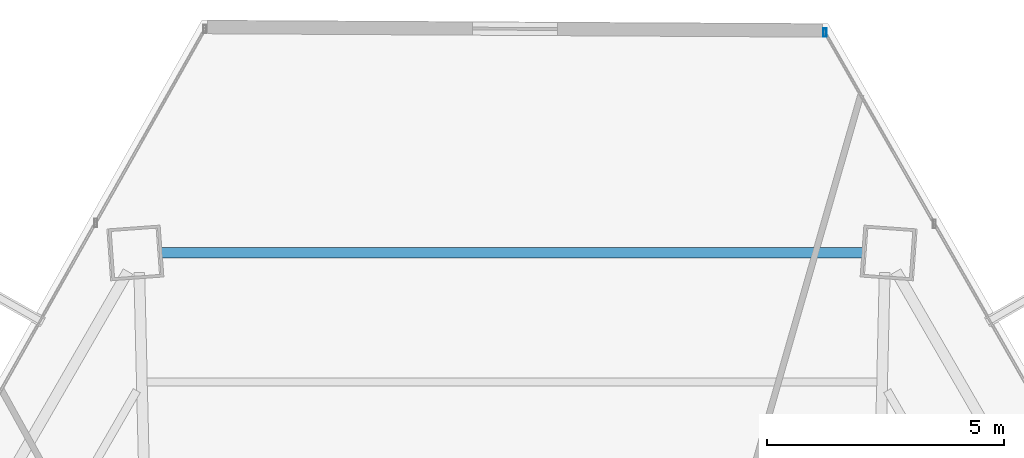
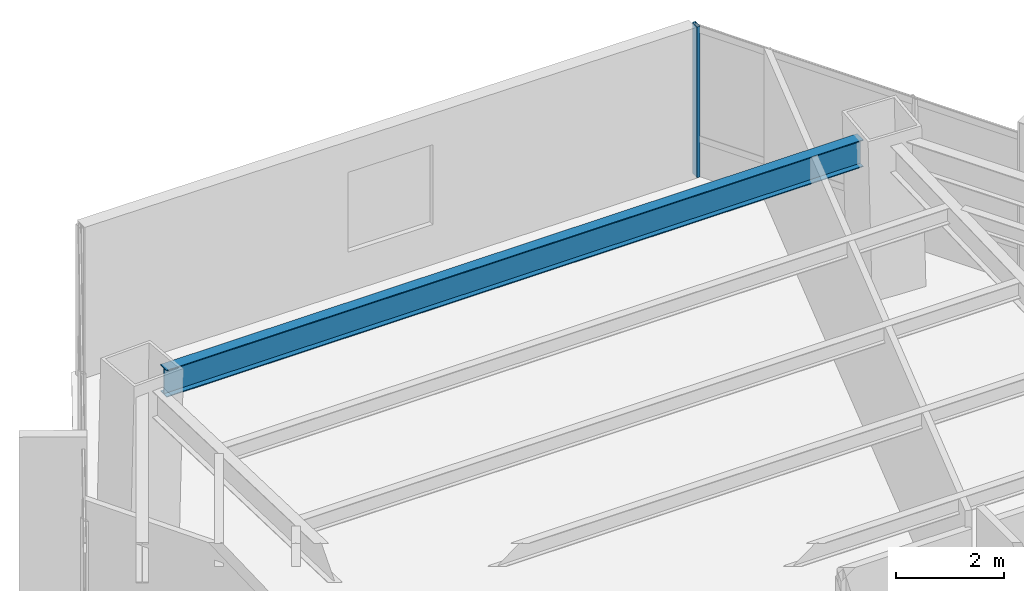
# One storey, part 27 of 36: 1 beam, 1 member, 1 element without a shape of its own.
"""IFC4 building model written with IfcOpenShell, lengths in metres."""

from ifc_helpers import new_model, si_unit, direction, frame, origin, origin_2d, place, context, subcontext, project, spatial, hollow_rectangle, i_section, extrude, source, transform, mapped, material, material_profile, profile_set, type_object, type_shapes, element, aggregate, save


model = new_model("IFC4")

# Units and contexts
model_context = context("Model", 3, precision=1e-05, world=origin(), true_north=direction((0.0, 1.0)))
body_context = subcontext(model_context, "Body", "Model", "MODEL_VIEW")
ifc_project = project(units=[si_unit("LENGTHUNIT", "METRE"), si_unit("AREAUNIT", "SQUARE_METRE"), si_unit("VOLUMEUNIT", "CUBIC_METRE"), si_unit("PLANEANGLEUNIT", "RADIAN"), si_unit("MASSUNIT", "GRAM", prefix="KILO")], contexts=[model_context])

# Site, building, storey
site_placement = place(None, origin())
site = spatial("IfcSite", under=ifc_project, at=site_placement, CompositionType="ELEMENT")
building_placement = place(site_placement, origin())
building = spatial("IfcBuilding", under=site, at=building_placement, Name="Caelisora Broadcast Tower", CompositionType="ELEMENT")
storey_placement = place(building_placement, frame((0.0, 0.0, 83.5)))
storey = spatial("IfcBuildingStorey", under=building, at=storey_placement, Name="L21", CompositionType="ELEMENT", Elevation=83.5)

# Beam
ifc_material_1 = material(Name="Steel Grade 350 (AS/NZS 3679.1)", Category="steel")
ifc_material_profile_1 = material_profile(ifc_material_1, i_section(OverallWidth=0.22900390625, OverallDepth=0.611572265625, WebThickness=0.011962890625, FlangeThickness=0.01953125, at=origin_2d()), Name="Steel Grade 350 (AS/NZS 3679.1)")
ifc_profile_set_1 = profile_set([ifc_material_profile_1], Name="Steel Grade 350 (AS/NZS 3679.1)")
beam_type = type_object("IfcBeamType", Name="PG03", PredefinedType="BEAM", material=ifc_profile_set_1)
shared_shape_1 = source(origin(), body_context, "Body", "SweptSolid", [
    extrude(i_section(OverallWidth=0.22900390625, OverallDepth=0.611572265625, WebThickness=0.011962890625, FlangeThickness=0.01953125, at=origin_2d()), origin(), (0.0, 0.0, 1.0), 14.85791015625),
])
type_shapes(beam_type, [shared_shape_1])
beam_placement = place(storey_placement, frame((45.428955078125, 46.376708984375, 3.09423828125), z_axis=(-1.0, 0.0, 0.0), x_axis=(0.0, -1.0, 0.0)))
element("IfcBeam", 1, at=beam_placement, inside=storey, type_object=beam_type, Name="L21 beam PG03", PredefinedType="BEAM", context=body_context, shape_type="MappedRepresentation", body=[
    mapped(shared_shape_1, transform((0.0, 0.0, 0.0), scale=1.0)),
])

# Curtain wall, member
ifc_material_2 = material(Name="Unitised Aluminium and Low-E Glass Curtain Wall", Category="glass")
curtain_wall_type = type_object("IfcCurtainWallType", Name="CW-Z2", PredefinedType="NOTDEFINED", material=ifc_material_2)
curtain_wall_placement = place(storey_placement, origin())
curtain_wall = element("IfcCurtainWall", 2, at=curtain_wall_placement, inside=storey, type_object=curtain_wall_type, Name="L21 curtain wall CW-Z2", PredefinedType="NOTDEFINED")
ifc_material_3 = material(Name="Aluminium 6063-T6 Anodised Terracotta Bronze", Category="aluminium")
ifc_material_profile_2 = material_profile(ifc_material_3, hollow_rectangle(XDim=0.06494140625, YDim=0.179931640625, WallThickness=0.00341796875, at=origin_2d()), Name="Aluminium 6063-T6 Anodised Terracotta Bronze")
ifc_profile_set_2 = profile_set([ifc_material_profile_2], Name="Aluminium 6063-T6 Anodised Terracotta Bronze")
member_type = type_object("IfcMemberType", Name="CWM-02", PredefinedType="MULLION", material=ifc_profile_set_2)
shared_shape_2 = source(origin(), body_context, "Body", "SweptSolid", [
    extrude(hollow_rectangle(XDim=0.06494140625, YDim=0.179931640625, WallThickness=0.00341796875, at=origin_2d()), origin(), (0.0, 0.0, 1.0), 3.39990234375),
])
type_shapes(member_type, [shared_shape_2])
member_placement = place(storey_placement, frame((44.61669921875, 51.029541015625, 0.0), z_axis=(0.0, 0.0, 1.0), x_axis=(1.0, 0.0, 0.0)))
member = element("IfcMember", 3, at=member_placement, type_object=member_type, Name="L21-CW-B01 mullion #0", PredefinedType="MULLION", context=body_context, shape_type="MappedRepresentation", body=[
    mapped(shared_shape_2, transform((0.0, 0.0, 0.0), scale=1.0)),
])
aggregate(curtain_wall, [member])

save(model, "model.ifc")
